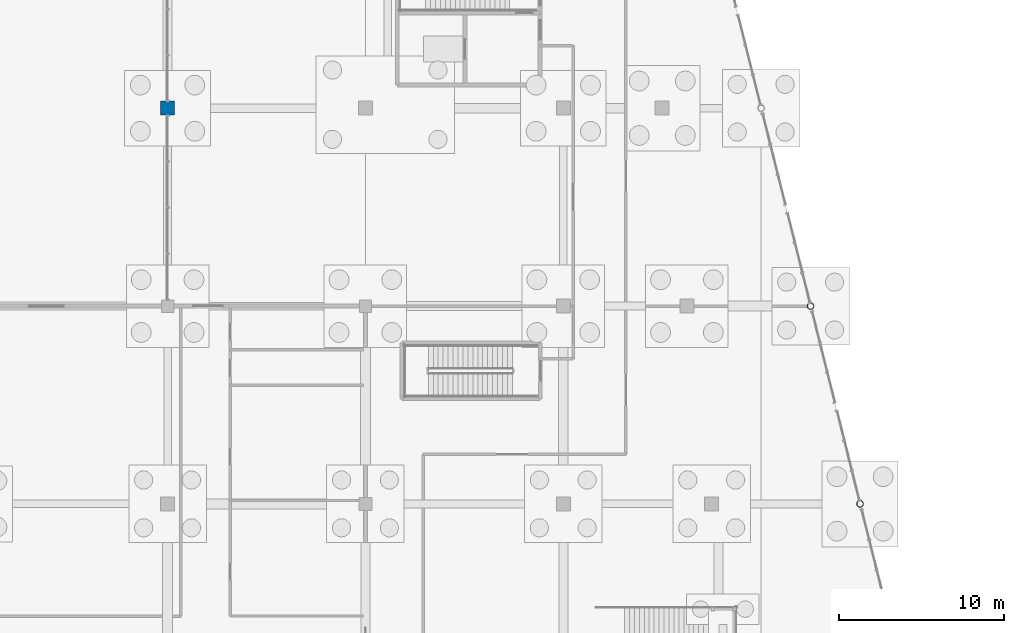
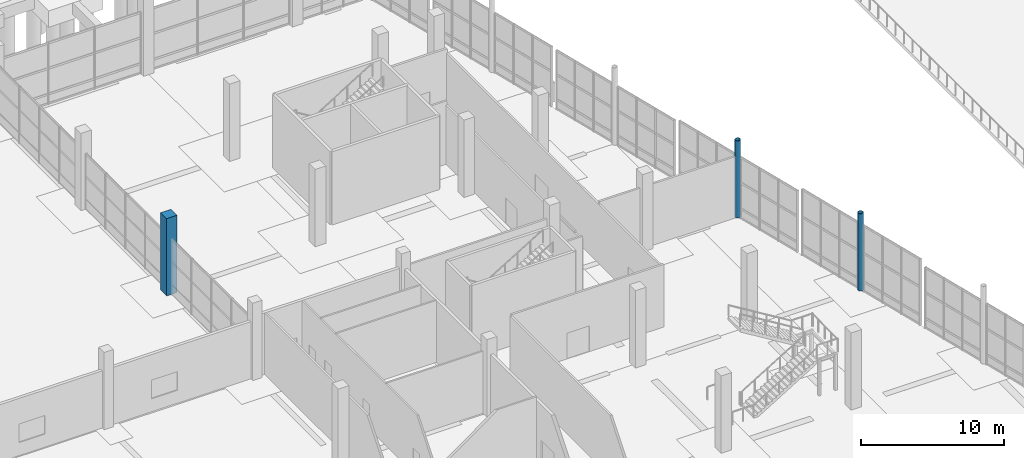
# One storey, part 34 of 117: 3 columns.
"""IFC4 building model written with IfcOpenShell, lengths in metres."""

from ifc_helpers import new_model, si_unit, direction, frame, origin, origin_2d, place, context, subcontext, project, spatial, rectangle, hollow_circle, extrude, material, material_profile, profile_set, type_object, element, save


model = new_model("IFC4")

# Units and contexts
model_context = context("Model", 3, precision=1e-05, world=origin(), true_north=direction((0.0, 1.0)))
body_context = subcontext(model_context, "Body", "Model", "MODEL_VIEW")
ifc_project = project(units=[si_unit("LENGTHUNIT", "METRE"), si_unit("AREAUNIT", "SQUARE_METRE"), si_unit("VOLUMEUNIT", "CUBIC_METRE"), si_unit("PLANEANGLEUNIT", "RADIAN"), si_unit("MASSUNIT", "GRAM", prefix="KILO")], contexts=[model_context])

# Site, building, storey
site_placement = place(None, origin())
site = spatial("IfcSite", under=ifc_project, at=site_placement, CompositionType="ELEMENT")
building_placement = place(site_placement, origin())
building = spatial("IfcBuilding", under=site, at=building_placement, Name="Kamomehara Wholesale Market", CompositionType="ELEMENT")
storey_placement = place(building_placement, origin())
storey = spatial("IfcBuildingStorey", under=building, at=storey_placement, Name="L00", CompositionType="ELEMENT", Elevation=0.0)

# Columns
ifc_material_1 = material(Name="Precast concrete Fc45 (C40/50)", Category="concrete")
ifc_material_profile_1 = material_profile(ifc_material_1, rectangle(XDim=0.85009765625, YDim=0.85009765625, at=origin_2d()), Name="PC-COL-850x850")
ifc_profile_set_1 = profile_set([ifc_material_profile_1], Name="Precast concrete Fc45 (C40/50)")
column_type_1 = type_object("IfcColumnType", Name="COL-PC850-EXT", PredefinedType="COLUMN", material=ifc_profile_set_1)
column_placement = place(storey_placement, frame((156.0, 72.0, 0.0), z_axis=(0.0, 0.0, 1.0), x_axis=(1.0, 0.0, 0.0)))
element("IfcColumn", 1, at=column_placement, inside=storey, type_object=column_type_1, Name="Column C-02E L00", PredefinedType="COLUMN", context=body_context, shape_type="SweptSolid", body=[
    extrude(rectangle(XDim=0.85009765625, YDim=0.85009765625, at=origin_2d()), origin(), (0.0, 0.0, 1.0), 6.60009765625),
])
ifc_material_2 = material(Name="Steel SN490B", Category="steel")
ifc_material_profile_2 = material_profile(ifc_material_2, hollow_circle(Radius=0.203125, WallThickness=0.01611328125, at=origin_2d()), Name="CHS-406.4x16.0")
ifc_profile_set_2 = profile_set([ifc_material_profile_2], Name="Steel SN490B")
column_type_2 = type_object("IfcColumnType", Name="COL-ST-CHS406-EXT", PredefinedType="COLUMN", material=ifc_profile_set_2)
for number, where, z_axis, x_axis, name in (
    (2, (195.0, 60.0, 0.0), (0.0, 0.0, 1.0), (1.0, 0.0, 0.0), "Column CS-08E L00"),
    (3, (198.0, 48.0, 0.0), (0.0, 0.0, 1.0), (1.0, 0.0, 0.0), "Column CS-08E L00"),
):
    element("IfcColumn", number, at=place(storey_placement, frame(where, z_axis=z_axis, x_axis=x_axis)), inside=storey, type_object=column_type_2, Name=name, PredefinedType="COLUMN", context=body_context, shape_type="SweptSolid", body=[
        extrude(hollow_circle(Radius=0.203125, WallThickness=0.01611328125, at=origin_2d()), origin(), (0.0, 0.0, 1.0), 6.60009765625),
    ])

save(model, "model.ifc")
